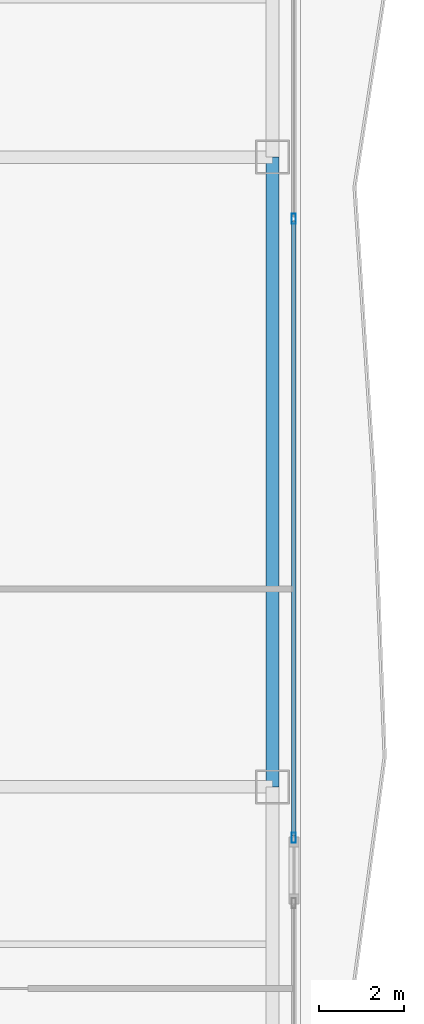
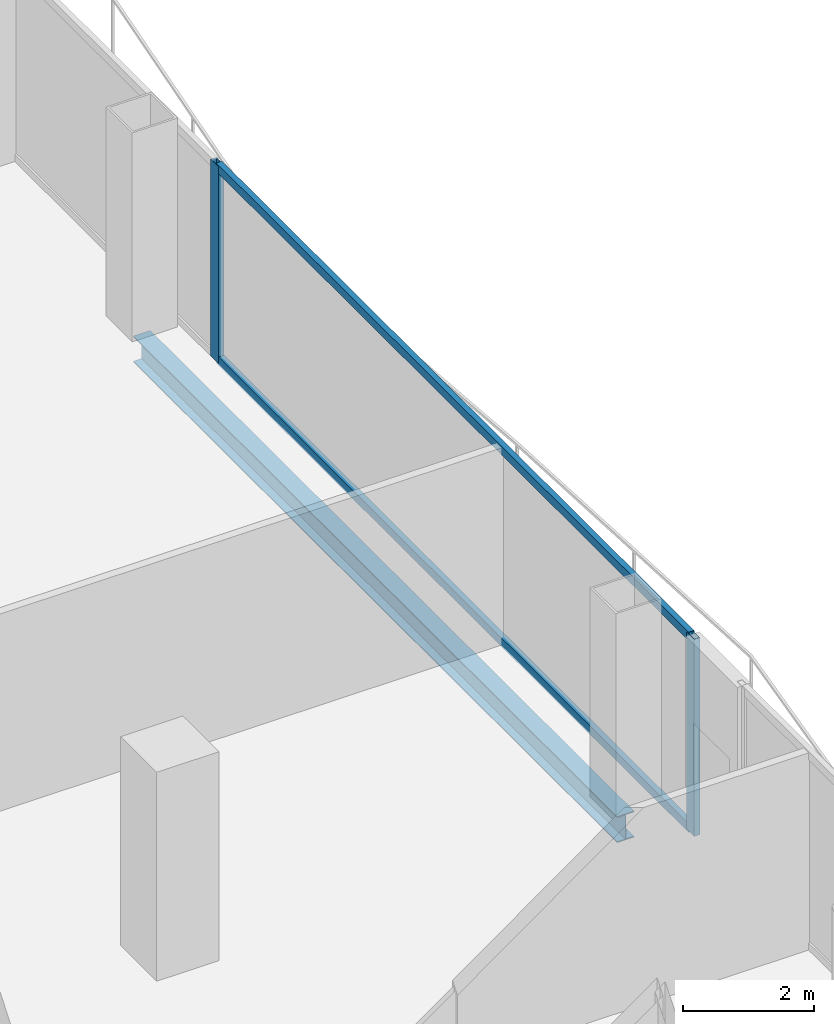
# One storey, part 12 of 27: 4 members, 1 beam, 1 element without a shape of its own.
"""IFC4 building model written with IfcOpenShell, lengths in metres."""

from ifc_helpers import new_model, si_unit, direction, frame, origin, origin_2d, place, context, subcontext, project, spatial, hollow_rectangle, i_section, extrude, material, layer, layer_set, material_profile, profile_set, type_object, element, aggregate, save


model = new_model("IFC4")

# Units and contexts
model_context = context("Model", 3, precision=1e-05, world=origin(), true_north=direction((0.0, 1.0)))
body_context = subcontext(model_context, "Body", "Model", "MODEL_VIEW")
ifc_project = project(units=[si_unit("LENGTHUNIT", "METRE"), si_unit("AREAUNIT", "SQUARE_METRE"), si_unit("VOLUMEUNIT", "CUBIC_METRE"), si_unit("PLANEANGLEUNIT", "RADIAN"), si_unit("MASSUNIT", "GRAM", prefix="KILO")], contexts=[model_context])

# Site, building, storey
site_placement = place(None, origin())
site = spatial("IfcSite", under=ifc_project, at=site_placement, CompositionType="ELEMENT")
building_placement = place(site_placement, origin())
building = spatial("IfcBuilding", under=site, at=building_placement, Name="Khorvyn Point Tower", CompositionType="ELEMENT")
storey_placement = place(building_placement, frame((0.0, 0.0, 42.300048828125)))
storey = spatial("IfcBuildingStorey", under=building, at=storey_placement, Name="L11", CompositionType="ELEMENT", Elevation=42.300048828125)

# Curtain wall, members
ifc_material_1 = material(Name="Anodised aluminium 6063-T6 and laminated Low-E glass", Category="aluminium")
ifc_layer = layer(ifc_material_1, 0.18994140625)
ifc_layer_set = layer_set([ifc_layer], Name="Stick-Built Finned Residential Curtain Wall CW-SYS-02")
curtain_wall_type = type_object("IfcCurtainWallType", Name="Stick-Built Finned Residential Curtain Wall CW-SYS-02", PredefinedType="NOTDEFINED", material=ifc_layer_set)
curtain_wall_placement = place(storey_placement, origin())
curtain_wall = element("IfcCurtainWall", 1, at=curtain_wall_placement, inside=storey, type_object=curtain_wall_type, Name="Curtain Wall", PredefinedType="NOTDEFINED")
ifc_material_2 = material(Name="Anodised aluminium 6063-T6", Category="aluminium")
ifc_material_profile_1 = material_profile(ifc_material_2, hollow_rectangle(XDim=0.10009765625, YDim=0.239990234375, WallThickness=0.0048828125, at=origin_2d()))
ifc_profile_set_1 = profile_set([ifc_material_profile_1], Name="Anodised aluminium 6063-T6 ALU-MUL-100x240")
member_type_1 = type_object("IfcMemberType", Name="Anodised Aluminium 6063-T6 Mullion ALU-MUL-100x240", PredefinedType="MULLION", material=ifc_profile_set_1)
member_1_placement = place(storey_placement, frame((27.949951171875, 5.951416015625, 0.0), z_axis=(0.0, 0.0, 1.0), x_axis=(1.0, 0.0, 0.0)))
member_1 = element("IfcMember", 2, at=member_1_placement, type_object=member_type_1, Name="Transom", PredefinedType="MULLION", context=body_context, shape_type="SweptSolid", body=[
    extrude(hollow_rectangle(XDim=0.10009765625, YDim=0.239990234375, WallThickness=0.0048828125, at=origin_2d()), origin(), (0.0, 0.0, 1.0), 3.679931640625),
])
member_2_placement = place(storey_placement, frame((27.949951171875, -8.596923828125, 0.0), z_axis=(0.0, 0.0, 1.0), x_axis=(1.0, 0.0, 0.0)))
member_2 = element("IfcMember", 3, at=member_2_placement, type_object=member_type_1, Name="Transom", PredefinedType="MULLION", context=body_context, shape_type="SweptSolid", body=[
    extrude(hollow_rectangle(XDim=0.10009765625, YDim=0.239990234375, WallThickness=0.0048828125, at=origin_2d()), origin(), (0.0, 0.0, 1.0), 3.679931640625),
])
ifc_material_profile_2 = material_profile(ifc_material_2, hollow_rectangle(XDim=0.10009765625, YDim=0.159912109375, WallThickness=0.00439453125, at=origin_2d()))
ifc_profile_set_2 = profile_set([ifc_material_profile_2], Name="Anodised aluminium 6063-T6 ALU-TRN-100x160")
member_type_2 = type_object("IfcMemberType", Name="Anodised Aluminium 6063-T6 Transom ALU-TRN-100x160", PredefinedType="USERDEFINED", material=ifc_profile_set_2)
member_3_placement = place(storey_placement, frame((27.949951171875, 5.901611328125, 0.050048828125), z_axis=(0.0, -1.0, 0.0), x_axis=(1.0, 0.0, 0.0)))
member_3 = element("IfcMember", 4, at=member_3_placement, type_object=member_type_2, Name="Transom", ObjectType="TRANSOM", PredefinedType="USERDEFINED", context=body_context, shape_type="SweptSolid", body=[
    extrude(hollow_rectangle(XDim=0.10009765625, YDim=0.159912109375, WallThickness=0.00439453125, at=origin_2d()), origin(), (0.0, 0.0, 1.0), 14.44873046875),
])
member_4_placement = place(storey_placement, frame((27.949951171875, 5.901611328125, 3.6298828125), z_axis=(0.0, -1.0, 0.0), x_axis=(1.0, 0.0, 0.0)))
member_4 = element("IfcMember", 5, at=member_4_placement, type_object=member_type_2, Name="Transom", ObjectType="TRANSOM", PredefinedType="USERDEFINED", context=body_context, shape_type="SweptSolid", body=[
    extrude(hollow_rectangle(XDim=0.10009765625, YDim=0.159912109375, WallThickness=0.00439453125, at=origin_2d()), origin(), (0.0, 0.0, 1.0), 14.44873046875),
])
aggregate(curtain_wall, [member_1, member_2, member_3, member_4])

# Beam
ifc_material_3 = material(Name="Steel S355", Category="steel")
ifc_material_profile_3 = material_profile(ifc_material_3, i_section(OverallWidth=0.300048828125, OverallDepth=0.488037109375, WebThickness=0.010986328125, FlangeThickness=0.01806640625, at=origin_2d()))
ifc_profile_set_3 = profile_set([ifc_material_profile_3], Name="Steel S355 H488x300x11x18")
beam_type = type_object("IfcBeamType", Name="Steel S355 Spandrel H488x300x11x18", PredefinedType="SPANDREL", material=ifc_profile_set_3)
beam_placement = place(storey_placement, frame((27.449951171875, -7.39990234375, -0.464111328125), z_axis=(0.0, 1.0, 0.0), x_axis=(-1.0, 0.0, 0.0)))
element("IfcBeam", 6, at=beam_placement, inside=storey, type_object=beam_type, Name="Beam", PredefinedType="SPANDREL", context=body_context, shape_type="SweptSolid", body=[
    extrude(i_section(OverallWidth=0.300048828125, OverallDepth=0.488037109375, WebThickness=0.010986328125, FlangeThickness=0.01806640625, at=origin_2d()), origin(), (0.0, 0.0, 1.0), 14.7998046875),
])

save(model, "model.ifc")
